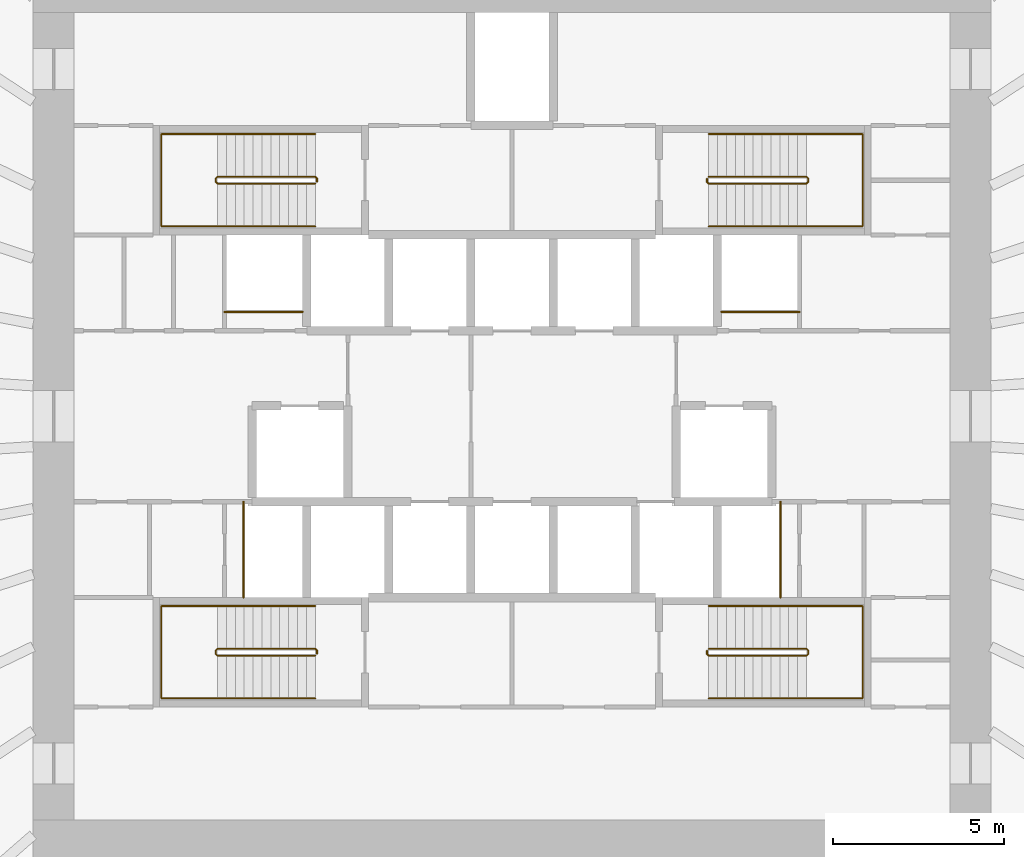
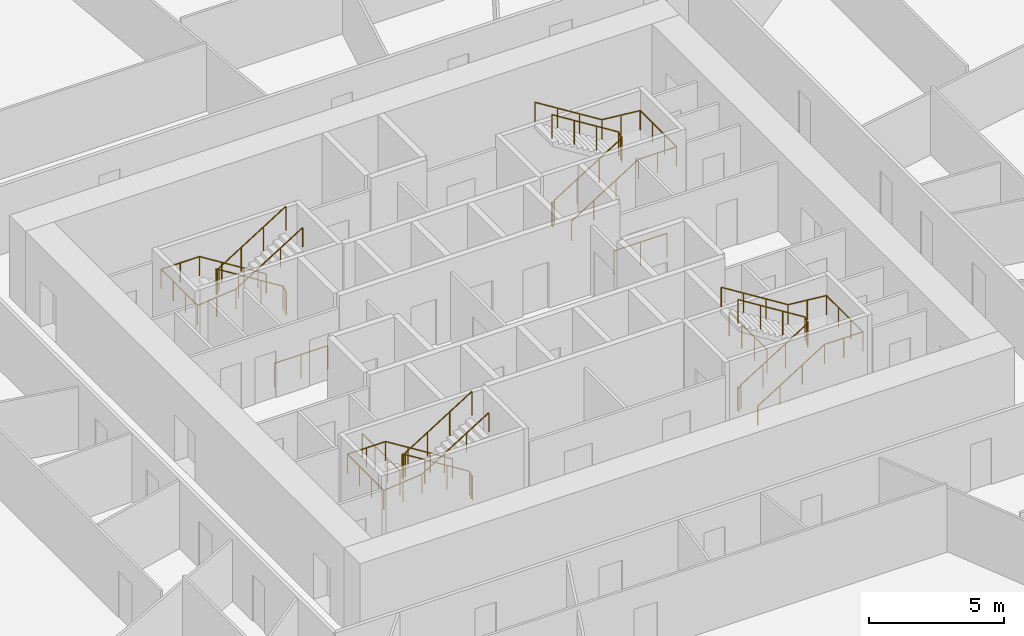
# One storey, part 11 of 11: 12 railings.
"""IFC4 building model written with IfcOpenShell, lengths in metres."""

from ifc_helpers import new_model, si_unit, direction, frame, origin, origin_2d, place, context, subcontext, project, spatial, circle, extrude, source, transform, mapped, material, type_object, element, save


model = new_model("IFC4")

# Units and contexts
model_context = context("Model", 3, precision=1e-05, world=origin(), true_north=direction((0.0, 1.0)))
body_context = subcontext(model_context, "Body", "Model", "MODEL_VIEW")
ifc_project = project(units=[si_unit("LENGTHUNIT", "METRE"), si_unit("AREAUNIT", "SQUARE_METRE"), si_unit("VOLUMEUNIT", "CUBIC_METRE"), si_unit("PLANEANGLEUNIT", "RADIAN"), si_unit("MASSUNIT", "GRAM", prefix="KILO")], contexts=[model_context])

# Site, building, storey
site_placement = place(None, origin())
site = spatial("IfcSite", under=ifc_project, at=site_placement, CompositionType="ELEMENT")
building_placement = place(site_placement, origin())
building = spatial("IfcBuilding", under=site, at=building_placement, Name="Embergate Tower", CompositionType="ELEMENT")
storey_placement = place(building_placement, frame((0.0, 0.0, 77.60009765625)))
storey = spatial("IfcBuildingStorey", under=building, at=storey_placement, Name="L15", CompositionType="ELEMENT", Elevation=77.60009765625)

# Railings
ifc_material_1 = material(Name="Stair handrail 900")
railing_type_1 = type_object("IfcRailingType", Name="Stair handrail 900", PredefinedType="HANDRAIL", material=ifc_material_1)
shared_shape_1 = source(origin(), body_context, "Body", "SweptSolid", [
    extrude(circle(Radius=0.02392578125, at=origin_2d()), frame((0.0, 0.0, 0.8759765625), z_axis=(-0.847994237388, 0.0, 0.530005446535), x_axis=(0.0, -1.0, 0.0)), (0.0, 0.0, 1.0), 3.372802734375),
    extrude(circle(Radius=0.02392578125, at=origin_2d()), frame((-2.860107421875, 0.0, 2.66357421875), z_axis=(-1.0, 0.0, 0.0), x_axis=(0.0, -1.0, 0.0)), (0.0, 0.0, 1.0), 1.639892578125),
    extrude(circle(Radius=0.02392578125, at=origin_2d()), frame((-4.5, 0.0, 2.66357421875), z_axis=(0.0, -1.0, 0.0), x_axis=(1.0, 0.0, 0.0)), (0.0, 0.0, 1.0), 2.699951171875),
    extrude(circle(Radius=0.02392578125, at=origin_2d()), frame((-4.5, -2.699951171875, 2.66357421875), z_axis=(0.995134983717, 0.0, 0.098520881967), x_axis=(0.0, 1.0, 0.0)), (0.0, 0.0, 1.0), 1.64794921875),
    extrude(circle(Radius=0.02392578125, at=origin_2d()), frame((-2.860107421875, -2.699951171875, 2.82568359375), z_axis=(0.847994237388, 0.0, 0.530005446535), x_axis=(0.0, 1.0, 0.0)), (0.0, 0.0, 1.0), 3.372802734375),
    extrude(circle(Radius=0.02099609375, at=origin_2d()), origin(), (0.0, 0.0, 1.0), 0.851806640625),
    extrude(circle(Radius=0.02099609375, at=origin_2d()), frame((-0.953369140625, 0.0, 0.595947265625)), (0.0, 0.0, 1.0), 0.851806640625),
    extrude(circle(Radius=0.02099609375, at=origin_2d()), frame((-1.90673828125, 0.0, 1.191650390625)), (0.0, 0.0, 1.0), 0.851806640625),
    extrude(circle(Radius=0.02099609375, at=origin_2d()), frame((-2.860107421875, 0.0, 1.78759765625)), (0.0, 0.0, 1.0), 0.851806640625),
    extrude(circle(Radius=0.02099609375, at=origin_2d()), frame((-3.68017578125, 0.0, 1.78759765625)), (0.0, 0.0, 1.0), 0.851806640625),
    extrude(circle(Radius=0.02099609375, at=origin_2d()), frame((-4.5, 0.0, 1.78759765625)), (0.0, 0.0, 1.0), 0.851806640625),
    extrude(circle(Radius=0.02099609375, at=origin_2d()), frame((-4.5, -0.89990234375, 1.78759765625)), (0.0, 0.0, 1.0), 0.851806640625),
    extrude(circle(Radius=0.02099609375, at=origin_2d()), frame((-4.5, -1.800048828125, 1.78759765625)), (0.0, 0.0, 1.0), 0.851806640625),
    extrude(circle(Radius=0.02099609375, at=origin_2d()), frame((-4.5, -2.699951171875, 1.78759765625)), (0.0, 0.0, 1.0), 0.851806640625),
    extrude(circle(Radius=0.02099609375, at=origin_2d()), frame((-3.68017578125, -2.699951171875, 1.86865234375)), (0.0, 0.0, 1.0), 0.851806640625),
    extrude(circle(Radius=0.02099609375, at=origin_2d()), frame((-2.860107421875, -2.699951171875, 1.949951171875)), (0.0, 0.0, 1.0), 0.851806640625),
    extrude(circle(Radius=0.02099609375, at=origin_2d()), frame((-1.90673828125, -2.699951171875, 2.5458984375)), (0.0, 0.0, 1.0), 0.851806640625),
    extrude(circle(Radius=0.02099609375, at=origin_2d()), frame((-0.953369140625, -2.699951171875, 3.1416015625)), (0.0, 0.0, 1.0), 0.851806640625),
    extrude(circle(Radius=0.02099609375, at=origin_2d()), frame((0.0, -2.699951171875, 3.737548828125)), (0.0, 0.0, 1.0), 0.851806640625),
])
for number, where, name in (
    (1, (-5.75, 8.25, 0.162353515625), "L15 ST1 stair handrail 1"),
    (2, (-5.75, -5.550048828125, 0.162353515625), "L15 ST3 stair handrail 1"),
):
    element("IfcRailing", number, at=place(storey_placement, frame(where)), inside=storey, type_object=railing_type_1, Name=name, PredefinedType="HANDRAIL", context=body_context, shape_type="MappedRepresentation", body=[
        mapped(shared_shape_1, transform((0.0, 0.0, 0.0))),
    ])
ifc_material_2 = material(Name="Stair guard 1100")
railing_type_2 = type_object("IfcRailingType", Name="Stair guard 1100", PredefinedType="GUARDRAIL", material=ifc_material_2)
shared_shape_2 = source(origin(), body_context, "Body", "SweptSolid", [
    extrude(circle(Radius=0.02392578125, at=origin_2d()), frame((0.0, 0.0, 1.076171875), z_axis=(0.0, 1.0, 0.0), x_axis=(-1.0, 0.0, 0.0)), (0.0, 0.0, 1.0), 0.099853515625),
    extrude(circle(Radius=0.02392578125, at=origin_2d()), frame((0.0, 0.099853515625, 1.076171875), z_axis=(-0.282583949758, 0.282583949758, 0.916674763849), x_axis=(-0.707106781187, -0.707106781187, 0.0)), (0.0, 0.0, 1.0), 0.177001953125),
    extrude(circle(Radius=0.02392578125, at=origin_2d()), frame((-0.050048828125, 0.14990234375, 1.23828125), z_axis=(-0.847994237388, 0.0, 0.530005446535), x_axis=(0.0, -1.0, 0.0)), (0.0, 0.0, 1.0), 3.372802734375),
    extrude(circle(Radius=0.02392578125, at=origin_2d()), frame((-2.91015625, 0.14990234375, 3.02587890625), z_axis=(-0.705375805398, -0.708833529934, 0.0), x_axis=(0.708833529934, -0.705375805398, 0.0)), (0.0, 0.0, 1.0), 0.070556640625),
    extrude(circle(Radius=0.02392578125, at=origin_2d()), frame((-2.9599609375, 0.099853515625, 3.02587890625), z_axis=(0.0, -1.0, 0.0), x_axis=(1.0, 0.0, 0.0)), (0.0, 0.0, 1.0), 0.099853515625),
    extrude(circle(Radius=0.02392578125, at=origin_2d()), frame((-2.9599609375, 0.0, 3.02587890625), z_axis=(0.281314826061, -0.282693820306, 0.917031173188), x_axis=(0.708833529934, 0.705375805398, 0.0)), (0.0, 0.0, 1.0), 0.177001953125),
    extrude(circle(Radius=0.02392578125, at=origin_2d()), frame((-2.91015625, -0.050048828125, 3.1884765625), z_axis=(0.847994237388, 0.0, 0.530005446535), x_axis=(0.0, 1.0, 0.0)), (0.0, 0.0, 1.0), 3.372802734375),
    extrude(circle(Radius=0.02099609375, at=origin_2d()), origin(), (0.0, 0.0, 1.0), 1.052001953125),
    extrude(circle(Radius=0.02099609375, at=origin_2d()), frame((0.0, 0.099853515625, 0.0)), (0.0, 0.0, 1.0), 1.052001953125),
    extrude(circle(Radius=0.02099609375, at=origin_2d()), frame((-0.050048828125, 0.14990234375, 0.162353515625)), (0.0, 0.0, 1.0), 1.052001953125),
    extrude(circle(Radius=0.02099609375, at=origin_2d()), frame((-1.00341796875, 0.14990234375, 0.75830078125)), (0.0, 0.0, 1.0), 1.052001953125),
    extrude(circle(Radius=0.02099609375, at=origin_2d()), frame((-1.956787109375, 0.14990234375, 1.35400390625)), (0.0, 0.0, 1.0), 1.052001953125),
    extrude(circle(Radius=0.02099609375, at=origin_2d()), frame((-2.91015625, 0.14990234375, 1.949951171875)), (0.0, 0.0, 1.0), 1.052001953125),
    extrude(circle(Radius=0.02099609375, at=origin_2d()), frame((-2.9599609375, 0.099853515625, 1.949951171875)), (0.0, 0.0, 1.0), 1.052001953125),
    extrude(circle(Radius=0.02099609375, at=origin_2d()), frame((-2.9599609375, 0.0, 1.949951171875)), (0.0, 0.0, 1.0), 1.052001953125),
    extrude(circle(Radius=0.02099609375, at=origin_2d()), frame((-2.91015625, -0.050048828125, 2.1123046875)), (0.0, 0.0, 1.0), 1.052001953125),
    extrude(circle(Radius=0.02099609375, at=origin_2d()), frame((-1.956787109375, -0.050048828125, 2.708251953125)), (0.0, 0.0, 1.0), 1.052001953125),
    extrude(circle(Radius=0.02099609375, at=origin_2d()), frame((-1.00341796875, -0.050048828125, 3.303955078125)), (0.0, 0.0, 1.0), 1.052001953125),
    extrude(circle(Radius=0.02099609375, at=origin_2d()), frame((-0.050048828125, -0.050048828125, 3.89990234375)), (0.0, 0.0, 1.0), 1.052001953125),
])
for number, where, name in (
    (3, (-5.699951171875, 6.85009765625, 0.0), "L15 ST1 stair guard 1"),
    (4, (-5.699951171875, -6.949951171875, 0.0), "L15 ST3 stair guard 1"),
):
    element("IfcRailing", number, at=place(storey_placement, frame(where)), inside=storey, type_object=railing_type_2, Name=name, PredefinedType="GUARDRAIL", context=body_context, shape_type="MappedRepresentation", body=[
        mapped(shared_shape_2, transform((0.0, 0.0, 0.0))),
    ])
shared_shape_3 = source(origin(), body_context, "Body", "SweptSolid", [
    extrude(circle(Radius=0.02392578125, at=origin_2d()), frame((0.0, 0.0, 0.8759765625), z_axis=(0.847994237388, 0.0, 0.530005446535), x_axis=(0.0, 1.0, 0.0)), (0.0, 0.0, 1.0), 3.372802734375),
    extrude(circle(Radius=0.02392578125, at=origin_2d()), frame((2.860107421875, 0.0, 2.66357421875), z_axis=(1.0, 0.0, 0.0), x_axis=(0.0, 1.0, 0.0)), (0.0, 0.0, 1.0), 1.639892578125),
    extrude(circle(Radius=0.02392578125, at=origin_2d()), frame((4.5, 0.0, 2.66357421875), z_axis=(0.0, 1.0, 0.0), x_axis=(-1.0, 0.0, 0.0)), (0.0, 0.0, 1.0), 2.699951171875),
    extrude(circle(Radius=0.02392578125, at=origin_2d()), frame((4.5, 2.699951171875, 2.66357421875), z_axis=(-0.995134983717, 0.0, 0.098520881967), x_axis=(0.0, -1.0, 0.0)), (0.0, 0.0, 1.0), 1.64794921875),
    extrude(circle(Radius=0.02392578125, at=origin_2d()), frame((2.860107421875, 2.699951171875, 2.82568359375), z_axis=(-0.847994237388, 0.0, 0.530005446535), x_axis=(0.0, -1.0, 0.0)), (0.0, 0.0, 1.0), 3.372802734375),
    extrude(circle(Radius=0.02099609375, at=origin_2d()), origin(), (0.0, 0.0, 1.0), 0.851806640625),
    extrude(circle(Radius=0.02099609375, at=origin_2d()), frame((0.953369140625, 0.0, 0.595947265625)), (0.0, 0.0, 1.0), 0.851806640625),
    extrude(circle(Radius=0.02099609375, at=origin_2d()), frame((1.90673828125, 0.0, 1.191650390625)), (0.0, 0.0, 1.0), 0.851806640625),
    extrude(circle(Radius=0.02099609375, at=origin_2d()), frame((2.860107421875, 0.0, 1.78759765625)), (0.0, 0.0, 1.0), 0.851806640625),
    extrude(circle(Radius=0.02099609375, at=origin_2d()), frame((3.68017578125, 0.0, 1.78759765625)), (0.0, 0.0, 1.0), 0.851806640625),
    extrude(circle(Radius=0.02099609375, at=origin_2d()), frame((4.5, 0.0, 1.78759765625)), (0.0, 0.0, 1.0), 0.851806640625),
    extrude(circle(Radius=0.02099609375, at=origin_2d()), frame((4.5, 0.89990234375, 1.78759765625)), (0.0, 0.0, 1.0), 0.851806640625),
    extrude(circle(Radius=0.02099609375, at=origin_2d()), frame((4.5, 1.800048828125, 1.78759765625)), (0.0, 0.0, 1.0), 0.851806640625),
    extrude(circle(Radius=0.02099609375, at=origin_2d()), frame((4.5, 2.699951171875, 1.78759765625)), (0.0, 0.0, 1.0), 0.851806640625),
    extrude(circle(Radius=0.02099609375, at=origin_2d()), frame((3.68017578125, 2.699951171875, 1.86865234375)), (0.0, 0.0, 1.0), 0.851806640625),
    extrude(circle(Radius=0.02099609375, at=origin_2d()), frame((2.860107421875, 2.699951171875, 1.949951171875)), (0.0, 0.0, 1.0), 0.851806640625),
    extrude(circle(Radius=0.02099609375, at=origin_2d()), frame((1.90673828125, 2.699951171875, 2.5458984375)), (0.0, 0.0, 1.0), 0.851806640625),
    extrude(circle(Radius=0.02099609375, at=origin_2d()), frame((0.953369140625, 2.699951171875, 3.1416015625)), (0.0, 0.0, 1.0), 0.851806640625),
    extrude(circle(Radius=0.02099609375, at=origin_2d()), frame((0.0, 2.699951171875, 3.737548828125)), (0.0, 0.0, 1.0), 0.851806640625),
])
for number, where, name in (
    (5, (5.75, 5.550048828125, 0.162353515625), "L15 ST2 stair handrail 1"),
    (6, (5.75, -8.25, 0.162353515625), "L15 ST4 stair handrail 1"),
):
    element("IfcRailing", number, at=place(storey_placement, frame(where)), inside=storey, type_object=railing_type_1, Name=name, PredefinedType="HANDRAIL", context=body_context, shape_type="MappedRepresentation", body=[
        mapped(shared_shape_3, transform((0.0, 0.0, 0.0))),
    ])
shared_shape_4 = source(origin(), body_context, "Body", "SweptSolid", [
    extrude(circle(Radius=0.02392578125, at=origin_2d()), frame((0.0, 0.0, 1.076171875), z_axis=(0.0, -1.0, 0.0), x_axis=(1.0, 0.0, 0.0)), (0.0, 0.0, 1.0), 0.099853515625),
    extrude(circle(Radius=0.02392578125, at=origin_2d()), frame((0.0, -0.099853515625, 1.076171875), z_axis=(0.282583949758, -0.282583949758, 0.916674763849), x_axis=(0.707106781187, 0.707106781187, 0.0)), (0.0, 0.0, 1.0), 0.177001953125),
    extrude(circle(Radius=0.02392578125, at=origin_2d()), frame((0.050048828125, -0.14990234375, 1.23828125), z_axis=(0.847994237388, 0.0, 0.530005446535), x_axis=(0.0, 1.0, 0.0)), (0.0, 0.0, 1.0), 3.372802734375),
    extrude(circle(Radius=0.02392578125, at=origin_2d()), frame((2.91015625, -0.14990234375, 3.02587890625), z_axis=(0.705375805398, 0.708833529934, 0.0), x_axis=(-0.708833529934, 0.705375805398, 0.0)), (0.0, 0.0, 1.0), 0.070556640625),
    extrude(circle(Radius=0.02392578125, at=origin_2d()), frame((2.9599609375, -0.099853515625, 3.02587890625), z_axis=(0.0, 1.0, 0.0), x_axis=(-1.0, 0.0, 0.0)), (0.0, 0.0, 1.0), 0.099853515625),
    extrude(circle(Radius=0.02392578125, at=origin_2d()), frame((2.9599609375, 0.0, 3.02587890625), z_axis=(-0.281314826061, 0.282693820306, 0.917031173188), x_axis=(-0.708833529934, -0.705375805398, 0.0)), (0.0, 0.0, 1.0), 0.177001953125),
    extrude(circle(Radius=0.02392578125, at=origin_2d()), frame((2.91015625, 0.050048828125, 3.1884765625), z_axis=(-0.847994237388, 0.0, 0.530005446535), x_axis=(0.0, -1.0, 0.0)), (0.0, 0.0, 1.0), 3.372802734375),
    extrude(circle(Radius=0.02099609375, at=origin_2d()), origin(), (0.0, 0.0, 1.0), 1.052001953125),
    extrude(circle(Radius=0.02099609375, at=origin_2d()), frame((0.0, -0.099853515625, 0.0)), (0.0, 0.0, 1.0), 1.052001953125),
    extrude(circle(Radius=0.02099609375, at=origin_2d()), frame((0.050048828125, -0.14990234375, 0.162353515625)), (0.0, 0.0, 1.0), 1.052001953125),
    extrude(circle(Radius=0.02099609375, at=origin_2d()), frame((1.00341796875, -0.14990234375, 0.75830078125)), (0.0, 0.0, 1.0), 1.052001953125),
    extrude(circle(Radius=0.02099609375, at=origin_2d()), frame((1.956787109375, -0.14990234375, 1.35400390625)), (0.0, 0.0, 1.0), 1.052001953125),
    extrude(circle(Radius=0.02099609375, at=origin_2d()), frame((2.91015625, -0.14990234375, 1.949951171875)), (0.0, 0.0, 1.0), 1.052001953125),
    extrude(circle(Radius=0.02099609375, at=origin_2d()), frame((2.9599609375, -0.099853515625, 1.949951171875)), (0.0, 0.0, 1.0), 1.052001953125),
    extrude(circle(Radius=0.02099609375, at=origin_2d()), frame((2.9599609375, 0.0, 1.949951171875)), (0.0, 0.0, 1.0), 1.052001953125),
    extrude(circle(Radius=0.02099609375, at=origin_2d()), frame((2.91015625, 0.050048828125, 2.1123046875)), (0.0, 0.0, 1.0), 1.052001953125),
    extrude(circle(Radius=0.02099609375, at=origin_2d()), frame((1.956787109375, 0.050048828125, 2.708251953125)), (0.0, 0.0, 1.0), 1.052001953125),
    extrude(circle(Radius=0.02099609375, at=origin_2d()), frame((1.00341796875, 0.050048828125, 3.303955078125)), (0.0, 0.0, 1.0), 1.052001953125),
    extrude(circle(Radius=0.02099609375, at=origin_2d()), frame((0.050048828125, 0.050048828125, 3.89990234375)), (0.0, 0.0, 1.0), 1.052001953125),
])
for number, where, name in (
    (7, (5.699951171875, 6.949951171875, 0.0), "L15 ST2 stair guard 1"),
    (8, (5.699951171875, -6.85009765625, 0.0), "L15 ST4 stair guard 1"),
):
    element("IfcRailing", number, at=place(storey_placement, frame(where)), inside=storey, type_object=railing_type_2, Name=name, PredefinedType="GUARDRAIL", context=body_context, shape_type="MappedRepresentation", body=[
        mapped(shared_shape_4, transform((0.0, 0.0, 0.0))),
    ])
ifc_material_3 = material(Name="Opening guard 1100")
railing_type_3 = type_object("IfcRailingType", Name="Opening guard 1100", PredefinedType="GUARDRAIL", material=ifc_material_3)
shared_shape_5 = source(origin(), body_context, "Body", "SweptSolid", [
    extrude(circle(Radius=0.02392578125, at=origin_2d()), frame((0.0, 0.0, 1.076171875), z_axis=(1.0, 0.0, 0.0), x_axis=(0.0, 1.0, 0.0)), (0.0, 0.0, 1.0), 2.27490234375),
    extrude(circle(Radius=0.02099609375, at=origin_2d()), origin(), (0.0, 0.0, 1.0), 1.052001953125),
    extrude(circle(Radius=0.02099609375, at=origin_2d()), frame((1.137451171875, 0.0, 0.0)), (0.0, 0.0, 1.0), 1.052001953125),
    extrude(circle(Radius=0.02099609375, at=origin_2d()), frame((2.27490234375, 0.0, 0.0)), (0.0, 0.0, 1.0), 1.052001953125),
])
for number, where, name in (
    (9, (-8.39990234375, 3.050048828125, 0.0), "Riser opening guard"),
    (10, (6.125, 3.050048828125, 0.0), "Riser opening guard"),
):
    element("IfcRailing", number, at=place(storey_placement, frame(where)), inside=storey, type_object=railing_type_3, Name=name, PredefinedType="GUARDRAIL", context=body_context, shape_type="MappedRepresentation", body=[
        mapped(shared_shape_5, transform((0.0, 0.0, 0.0))),
    ])
shared_shape_6 = source(origin(), body_context, "Body", "SweptSolid", [
    extrude(circle(Radius=0.02392578125, at=origin_2d()), frame((0.0, 0.0, 1.076171875), z_axis=(0.0, 1.0, 0.0), x_axis=(-1.0, 0.0, 0.0)), (0.0, 0.0, 1.0), 2.800048828125),
    extrude(circle(Radius=0.02099609375, at=origin_2d()), origin(), (0.0, 0.0, 1.0), 1.052001953125),
    extrude(circle(Radius=0.02099609375, at=origin_2d()), frame((0.0, 0.933349609375, 0.0)), (0.0, 0.0, 1.0), 1.052001953125),
    extrude(circle(Radius=0.02099609375, at=origin_2d()), frame((0.0, 1.86669921875, 0.0)), (0.0, 0.0, 1.0), 1.052001953125),
    extrude(circle(Radius=0.02099609375, at=origin_2d()), frame((0.0, 2.800048828125, 0.0)), (0.0, 0.0, 1.0), 1.052001953125),
])
for number, where, name in (
    (11, (-7.85009765625, -5.300048828125, 0.0), "Riser opening guard"),
    (12, (7.85009765625, -5.300048828125, 0.0), "Riser opening guard"),
):
    element("IfcRailing", number, at=place(storey_placement, frame(where)), inside=storey, type_object=railing_type_3, Name=name, PredefinedType="GUARDRAIL", context=body_context, shape_type="MappedRepresentation", body=[
        mapped(shared_shape_6, transform((0.0, 0.0, 0.0))),
    ])

save(model, "model.ifc")
